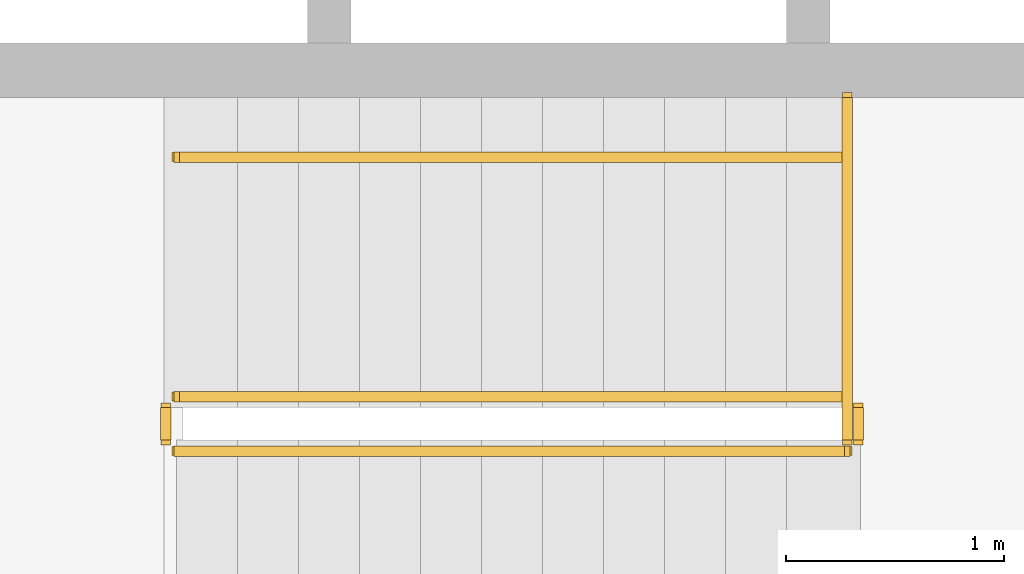
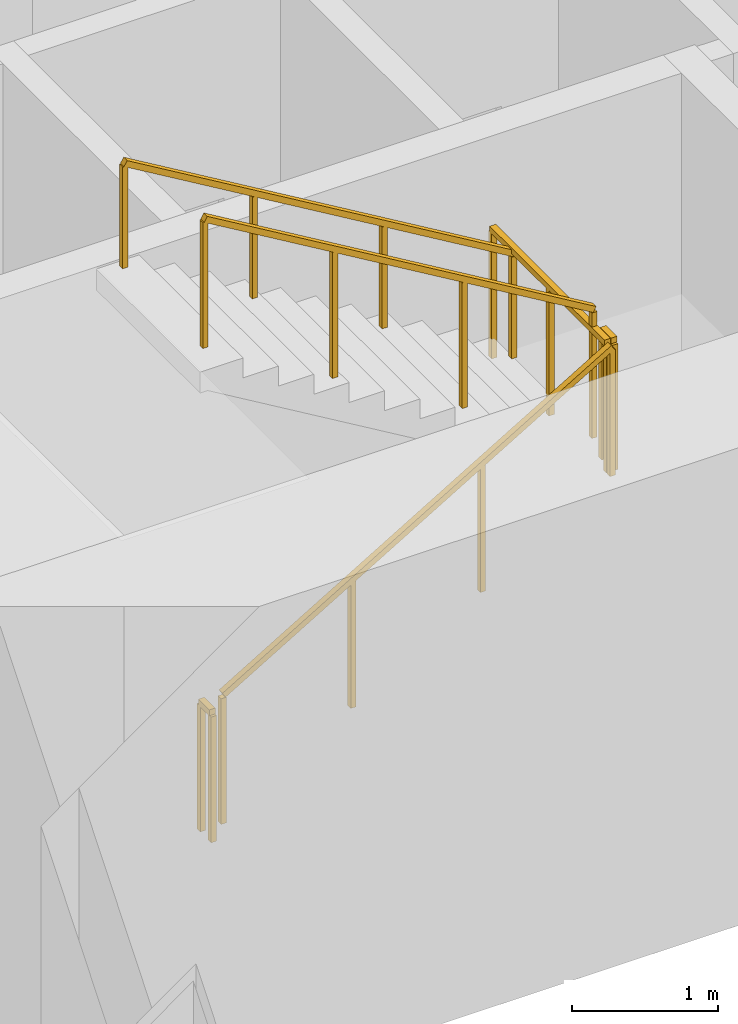
# One storey, part 13 of 16: 6 railings.
"""IFC4 building model written with IfcOpenShell, lengths in metres."""

from ifc_helpers import new_model, si_unit, direction, frame, origin, origin_2d, place, context, subcontext, project, spatial, rectangle, extrude, material, type_object, element, save


model = new_model("IFC4")

# Units and contexts
model_context = context("Model", 3, precision=1e-05, world=origin(), true_north=direction((0.0, 1.0)))
body_context = subcontext(model_context, "Body", "Model", "MODEL_VIEW")
ifc_project = project(units=[si_unit("LENGTHUNIT", "METRE"), si_unit("AREAUNIT", "SQUARE_METRE"), si_unit("VOLUMEUNIT", "CUBIC_METRE"), si_unit("PLANEANGLEUNIT", "RADIAN"), si_unit("MASSUNIT", "GRAM", prefix="KILO")], contexts=[model_context])

# Site, building, storey
site_placement = place(None, origin())
site = spatial("IfcSite", under=ifc_project, at=site_placement, CompositionType="ELEMENT")
building_placement = place(site_placement, origin())
building = spatial("IfcBuilding", under=site, at=building_placement, Name="Sennacour Bend Tower", CompositionType="ELEMENT")
storey_placement = place(building_placement, frame((0.0, 0.0, 99.0)))
storey = spatial("IfcBuildingStorey", under=building, at=storey_placement, Name="L22", CompositionType="ELEMENT", Elevation=99.0)

# Railings
ifc_material = material(Name="Stainless steel", Category="steel")
railing_type_1 = type_object("IfcRailingType", Name="RL-GUARD-1100", PredefinedType="GUARDRAIL", material=ifc_material)
railing_1_placement = place(storey_placement, frame((56.699951171875, 2.449951171875, 0.166748046875)))
element("IfcRailing", 1, at=railing_1_placement, inside=storey, type_object=railing_type_1, Name="L22 SA1 stair guard 1", PredefinedType="GUARDRAIL", context=body_context, shape_type="SweptSolid", body=[
    extrude(rectangle(XDim=0.048095703125, YDim=0.048095703125, at=origin_2d()), frame((0.0, 0.0, 1.076171875), z_axis=(0.859308565015, 0.0, 0.511457515432), x_axis=(0.0, 1.0, 0.0)), (0.0, 0.0, 1.0), 3.58447265625),
    extrude(rectangle(XDim=0.0419921875, YDim=0.0419921875, at=origin_2d()), origin(), (0.0, 0.0, 1.0), 1.052001953125),
    extrude(rectangle(XDim=0.0419921875, YDim=0.0419921875, at=origin_2d()), frame((1.026611328125, 0.0, 0.611083984375)), (0.0, 0.0, 1.0), 1.052001953125),
    extrude(rectangle(XDim=0.0419921875, YDim=0.0419921875, at=origin_2d()), frame((2.053466796875, 0.0, 1.22216796875)), (0.0, 0.0, 1.0), 1.052001953125),
    extrude(rectangle(XDim=0.0419921875, YDim=0.0419921875, at=origin_2d()), frame((3.080078125, 0.0, 1.833251953125)), (0.0, 0.0, 1.0), 1.052001953125),
])
railing_2_placement = place(storey_placement, frame((59.830078125, 2.5, 2.0)))
element("IfcRailing", 2, at=railing_2_placement, inside=storey, type_object=railing_type_1, Name="L22 SA1 stair guard 2", PredefinedType="GUARDRAIL", context=body_context, shape_type="SweptSolid", body=[
    extrude(rectangle(XDim=0.048095703125, YDim=0.048095703125, at=origin_2d()), frame((0.0, 0.0, 1.076171875), z_axis=(0.0, 1.0, 0.0), x_axis=(-1.0, 0.0, 0.0)), (0.0, 0.0, 1.0), 0.14990234375),
    extrude(rectangle(XDim=0.0419921875, YDim=0.0419921875, at=origin_2d()), origin(), (0.0, 0.0, 1.0), 1.052001953125),
    extrude(rectangle(XDim=0.0419921875, YDim=0.0419921875, at=origin_2d()), frame((0.0, 0.14990234375, 0.0)), (0.0, 0.0, 1.0), 1.052001953125),
])
railing_3_placement = place(storey_placement, frame((59.780029296875, 2.699951171875, 2.166748046875)))
element("IfcRailing", 3, at=railing_3_placement, inside=storey, type_object=railing_type_1, Name="L22 SA1 stair guard 4", PredefinedType="GUARDRAIL", context=body_context, shape_type="SweptSolid", body=[
    extrude(rectangle(XDim=0.048095703125, YDim=0.048095703125, at=origin_2d()), frame((0.0, 0.0, 1.076171875), z_axis=(-0.859308565015, 0.0, 0.511457515432), x_axis=(0.0, -1.0, 0.0)), (0.0, 0.0, 1.0), 3.58447265625),
    extrude(rectangle(XDim=0.0419921875, YDim=0.0419921875, at=origin_2d()), origin(), (0.0, 0.0, 1.0), 1.052001953125),
    extrude(rectangle(XDim=0.0419921875, YDim=0.0419921875, at=origin_2d()), frame((-1.026611328125, 0.0, 0.611083984375)), (0.0, 0.0, 1.0), 1.052001953125),
    extrude(rectangle(XDim=0.0419921875, YDim=0.0419921875, at=origin_2d()), frame((-2.053466796875, 0.0, 1.22216796875)), (0.0, 0.0, 1.0), 1.052001953125),
    extrude(rectangle(XDim=0.0419921875, YDim=0.0419921875, at=origin_2d()), frame((-3.080078125, 0.0, 1.833251953125)), (0.0, 0.0, 1.0), 1.052001953125),
])
railing_4_placement = place(storey_placement, frame((56.64990234375, 2.5, 0.0)))
element("IfcRailing", 4, at=railing_4_placement, inside=storey, type_object=railing_type_1, Name="L22 SA1 stair guard 5", PredefinedType="GUARDRAIL", context=body_context, shape_type="SweptSolid", body=[
    extrude(rectangle(XDim=0.048095703125, YDim=0.048095703125, at=origin_2d()), frame((0.0, 0.0, 1.076171875), z_axis=(0.0, 1.0, 0.0), x_axis=(-1.0, 0.0, 0.0)), (0.0, 0.0, 1.0), 0.14990234375),
    extrude(rectangle(XDim=0.0419921875, YDim=0.0419921875, at=origin_2d()), origin(), (0.0, 0.0, 1.0), 1.052001953125),
    extrude(rectangle(XDim=0.0419921875, YDim=0.0419921875, at=origin_2d()), frame((0.0, 0.14990234375, 0.0)), (0.0, 0.0, 1.0), 1.052001953125),
])
railing_5_placement = place(storey_placement, frame((59.780029296875, 2.5, 2.0)))
element("IfcRailing", 5, at=railing_5_placement, inside=storey, type_object=railing_type_1, Name="L22 SA1 landing edge guard 40", PredefinedType="GUARDRAIL", context=body_context, shape_type="SweptSolid", body=[
    extrude(rectangle(XDim=0.048095703125, YDim=0.048095703125, at=origin_2d()), frame((0.0, 0.0, 1.076171875), z_axis=(0.0, 1.0, 0.0), x_axis=(-1.0, 0.0, 0.0)), (0.0, 0.0, 1.0), 1.574951171875),
    extrude(rectangle(XDim=0.0419921875, YDim=0.0419921875, at=origin_2d()), origin(), (0.0, 0.0, 1.0), 1.052001953125),
    extrude(rectangle(XDim=0.0419921875, YDim=0.0419921875, at=origin_2d()), frame((0.0, 0.78759765625, 0.0)), (0.0, 0.0, 1.0), 1.052001953125),
    extrude(rectangle(XDim=0.0419921875, YDim=0.0419921875, at=origin_2d()), frame((0.0, 1.574951171875, 0.0)), (0.0, 0.0, 1.0), 1.052001953125),
])
railing_type_2 = type_object("IfcRailingType", Name="RL-HANDRAIL-900", PredefinedType="HANDRAIL", material=ifc_material)
railing_6_placement = place(storey_placement, frame((59.780029296875, 3.800048828125, 2.166748046875)))
element("IfcRailing", 6, at=railing_6_placement, inside=storey, type_object=railing_type_2, Name="L22 SA1 stair handrail 2", PredefinedType="HANDRAIL", context=body_context, shape_type="SweptSolid", body=[
    extrude(rectangle(XDim=0.048095703125, YDim=0.048095703125, at=origin_2d()), frame((0.0, 0.0, 0.8759765625), z_axis=(-0.859308565015, 0.0, 0.511457515432), x_axis=(0.0, -1.0, 0.0)), (0.0, 0.0, 1.0), 3.58447265625),
    extrude(rectangle(XDim=0.0419921875, YDim=0.0419921875, at=origin_2d()), origin(), (0.0, 0.0, 1.0), 0.851806640625),
    extrude(rectangle(XDim=0.0419921875, YDim=0.0419921875, at=origin_2d()), frame((-1.026611328125, 0.0, 0.611083984375)), (0.0, 0.0, 1.0), 0.851806640625),
    extrude(rectangle(XDim=0.0419921875, YDim=0.0419921875, at=origin_2d()), frame((-2.053466796875, 0.0, 1.22216796875)), (0.0, 0.0, 1.0), 0.851806640625),
    extrude(rectangle(XDim=0.0419921875, YDim=0.0419921875, at=origin_2d()), frame((-3.080078125, 0.0, 1.833251953125)), (0.0, 0.0, 1.0), 0.851806640625),
])

save(model, "model.ifc")
